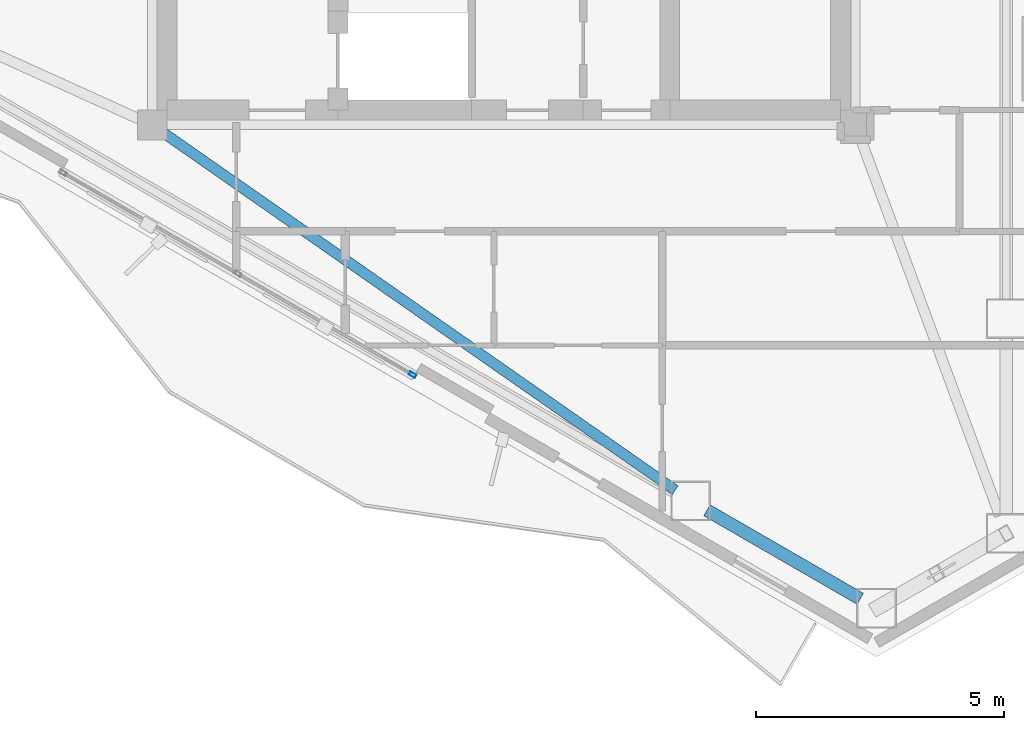
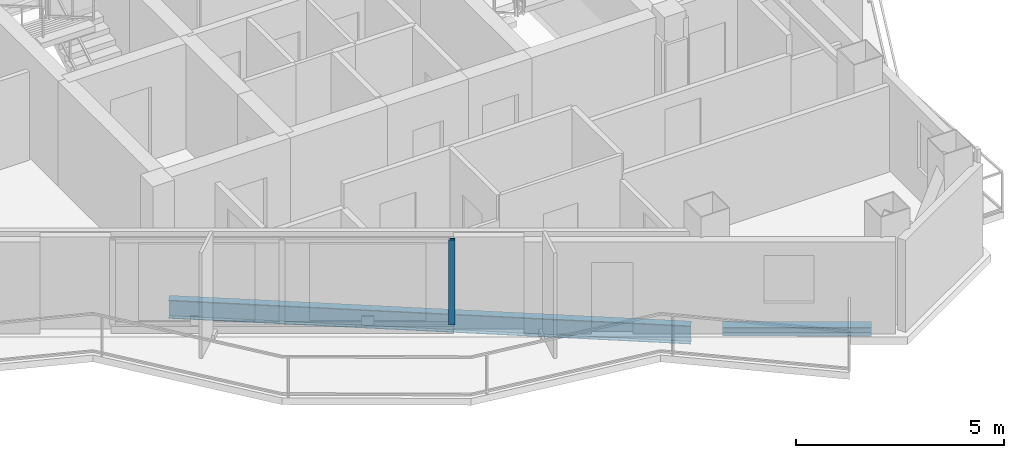
# One storey, part 5 of 18: 2 beams, 1 member, 1 element without a shape of its own.
"""IFC4 building model written with IfcOpenShell, lengths in metres."""

from ifc_helpers import new_model, si_unit, direction, frame, origin, origin_2d, place, context, subcontext, project, spatial, hollow_rectangle, i_section, extrude, material, layer, layer_set, material_profile, profile_set, type_object, element, aggregate, save


model = new_model("IFC4")

# Units and contexts
model_context = context("Model", 3, precision=1e-05, world=origin(), true_north=direction((0.0, 1.0)))
body_context = subcontext(model_context, "Body", "Model", "MODEL_VIEW")
ifc_project = project(units=[si_unit("LENGTHUNIT", "METRE"), si_unit("AREAUNIT", "SQUARE_METRE"), si_unit("VOLUMEUNIT", "CUBIC_METRE"), si_unit("PLANEANGLEUNIT", "RADIAN"), si_unit("MASSUNIT", "GRAM", prefix="KILO")], contexts=[model_context])

# Site, building, storey
site_placement = place(None, origin())
site = spatial("IfcSite", under=ifc_project, at=site_placement, CompositionType="ELEMENT")
building_placement = place(site_placement, origin())
building = spatial("IfcBuilding", under=site, at=building_placement, Name="Mersakhor Tower and Convention Hall", CompositionType="ELEMENT")
storey_placement = place(building_placement, frame((0.0, 0.0, 226.5)))
storey = spatial("IfcBuildingStorey", under=building, at=storey_placement, Name="L63", CompositionType="ELEMENT", Elevation=226.5)

# Beams
ifc_material_1 = material(Name="Steel S355", Category="steel")
ifc_material_profile_1 = material_profile(ifc_material_1, i_section(OverallWidth=0.2099609375, OverallDepth=0.53662109375, WebThickness=0.0107421875, FlangeThickness=0.017333984375, at=origin_2d()), Name="UB 533x210x101")
ifc_profile_set_1 = profile_set([ifc_material_profile_1], Name="Steel S355")
beam_type_1 = type_object("IfcBeamType", Name="BM-FB-533", PredefinedType="BEAM", material=ifc_profile_set_1)
beam_1_placement = place(storey_placement, frame((22.129638671875, 20.289794921875, -0.48828125), z_axis=(0.819954136469, -0.572429221903, 0.0), x_axis=(0.572429221903, 0.819954136469, 0.0)))
element("IfcBeam", 1, at=beam_1_placement, inside=storey, type_object=beam_type_1, Name="L63 Primary Floor Girder FG-5", PredefinedType="BEAM", context=body_context, shape_type="SweptSolid", body=[
    extrude(i_section(OverallWidth=0.2099609375, OverallDepth=0.53662109375, WebThickness=0.0107421875, FlangeThickness=0.017333984375, at=origin_2d()), origin(), (0.0, 0.0, 1.0), 12.598388671875),
])
ifc_material_2 = material(Name="Steel S355", Category="steel")
ifc_material_profile_2 = material_profile(ifc_material_2, i_section(OverallWidth=0.25634765625, OverallDepth=0.26025390625, WebThickness=0.01025390625, FlangeThickness=0.017333984375, at=origin_2d()), Name="UC 254x254x89")
ifc_profile_set_2 = profile_set([ifc_material_profile_2], Name="Steel S355")
beam_type_2 = type_object("IfcBeamType", Name="BM-SPD-UC254", PredefinedType="SPANDREL", material=ifc_profile_set_2)
beam_2_placement = place(storey_placement, frame((36.196044921875, 10.88330078125, -0.35009765625), z_axis=(-0.866002454009, 0.500039748071, 0.0), x_axis=(-0.500039748071, -0.866002454009, 0.0)))
element("IfcBeam", 2, at=beam_2_placement, inside=storey, type_object=beam_type_2, Name="L63 Perimeter Spandrel Beam SPB-09", PredefinedType="SPANDREL", context=body_context, shape_type="SweptSolid", body=[
    extrude(i_section(OverallWidth=0.25634765625, OverallDepth=0.26025390625, WebThickness=0.01025390625, FlangeThickness=0.017333984375, at=origin_2d()), origin(), (0.0, 0.0, 1.0), 3.574462890625),
])

# Curtain wall, member
ifc_material_3 = material(Name="Dark solar low-E aluminium curtain wall", Category="aluminium")
ifc_layer = layer(ifc_material_3, 0.179931640625)
ifc_layer_set = layer_set([ifc_layer], Name="Dark solar low-E aluminium curtain wall")
curtain_wall_type = type_object("IfcCurtainWallType", Name="CW-SYS-03", PredefinedType="USERDEFINED", material=ifc_layer_set)
curtain_wall_placement = place(storey_placement, origin())
curtain_wall = element("IfcCurtainWall", 3, at=curtain_wall_placement, inside=storey, type_object=curtain_wall_type, Name="L63 Dark-Glass Curtain Wall F3-B2", ObjectType="CURTAIN WALL", PredefinedType="USERDEFINED")
ifc_material_4 = material(Name="Anodised aluminium EN AW-6063 T6", Category="aluminium")
ifc_material_profile_3 = material_profile(ifc_material_4, hollow_rectangle(XDim=0.074951171875, YDim=0.14990234375, WallThickness=0.00634765625, at=origin_2d()), Name="RHS 150x75x6.3")
ifc_profile_set_3 = profile_set([ifc_material_profile_3], Name="Anodised aluminium EN AW-6063 T6")
member_type = type_object("IfcMemberType", Name="CWM-150x75", PredefinedType="MULLION", material=ifc_profile_set_3)
member_placement = place(storey_placement, frame((27.158935546875, 15.408203125, 0.199951171875), z_axis=(0.0, 0.0, 1.0), x_axis=(-0.500004411169, -0.86602285698, 0.0)))
member = element("IfcMember", 4, at=member_placement, type_object=member_type, Name="CW-03 mullion 1", PredefinedType="MULLION", context=body_context, shape_type="SweptSolid", body=[
    extrude(hollow_rectangle(XDim=0.074951171875, YDim=0.14990234375, WallThickness=0.00634765625, at=origin_2d()), origin(), (0.0, 0.0, 1.0), 2.5),
])
aggregate(curtain_wall, [member])

save(model, "model.ifc")
